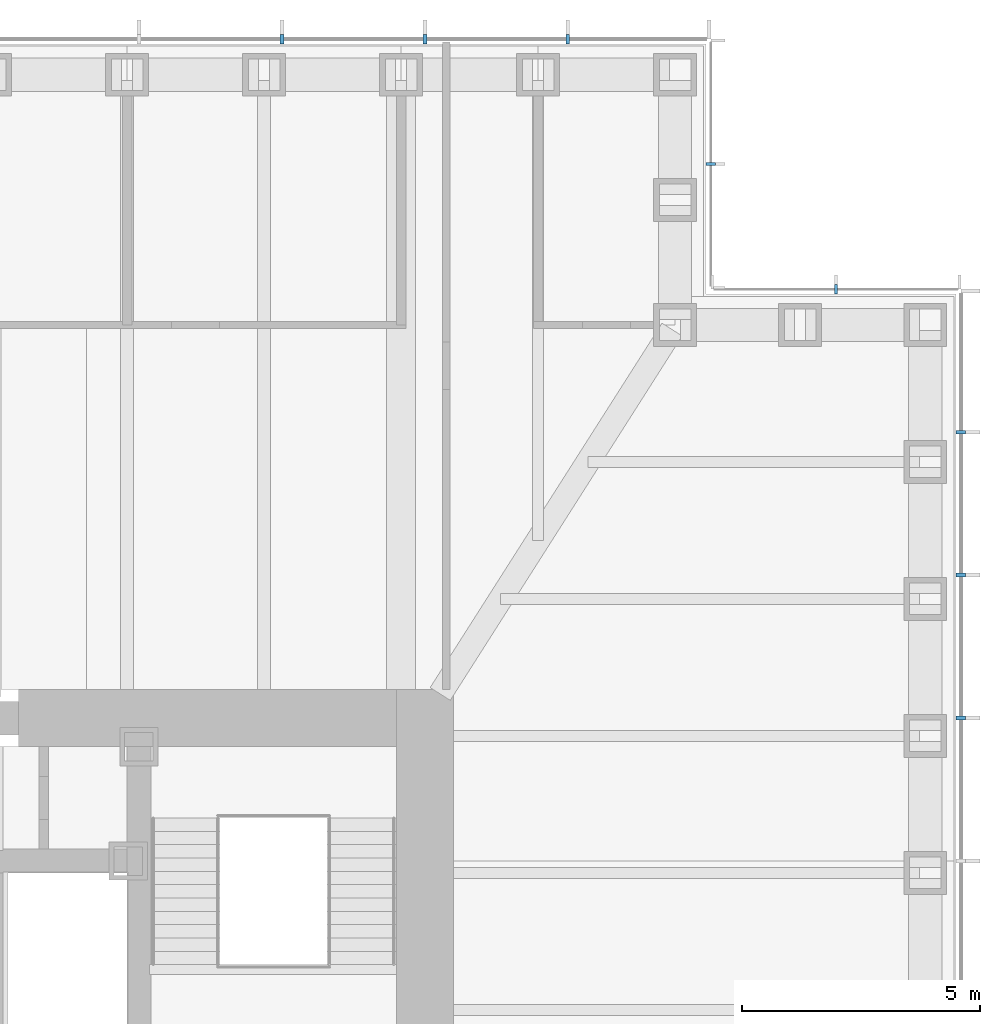
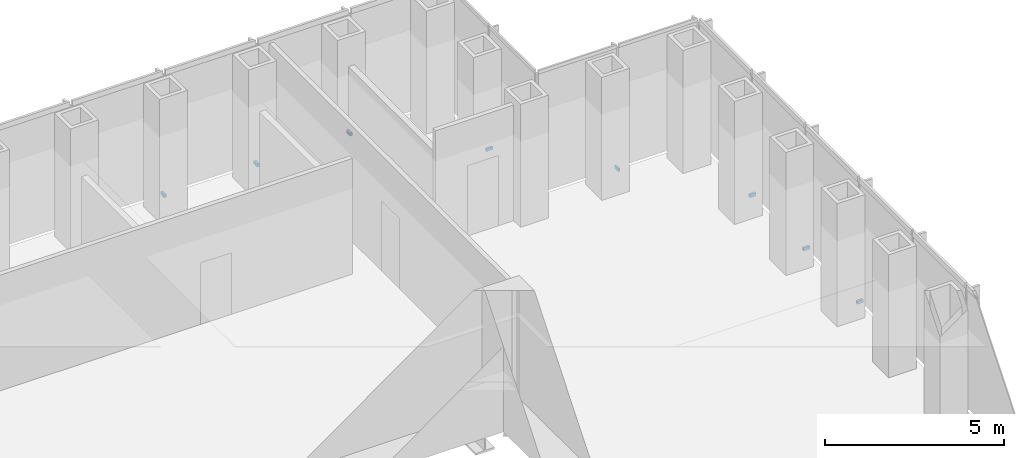
# One storey, part 16 of 17: 8 discrete accessories.
"""IFC4 building model written with IfcOpenShell, lengths in metres."""

from ifc_helpers import new_model, si_unit, direction, frame, origin, origin_2d, place, context, subcontext, project, spatial, rectangle, extrude, element, save


model = new_model("IFC4")

# Units and contexts
model_context = context("Model", 3, precision=1e-05, world=origin(), true_north=direction((0.0, 1.0)))
body_context = subcontext(model_context, "Body", "Model", "MODEL_VIEW")
ifc_project = project(units=[si_unit("LENGTHUNIT", "METRE"), si_unit("AREAUNIT", "SQUARE_METRE"), si_unit("VOLUMEUNIT", "CUBIC_METRE"), si_unit("PLANEANGLEUNIT", "RADIAN"), si_unit("MASSUNIT", "GRAM", prefix="KILO")], contexts=[model_context])

# Site, building, storey
site_placement = place(None, origin())
site = spatial("IfcSite", under=ifc_project, at=site_placement, CompositionType="ELEMENT")
building_placement = place(site_placement, origin())
building = spatial("IfcBuilding", under=site, at=building_placement, Name="Daluyong Arena Tower", CompositionType="ELEMENT")
storey_placement = place(building_placement, frame((0.0, 0.0, 171.10009765625)))
storey = spatial("IfcBuildingStorey", under=building, at=storey_placement, Name="L38", CompositionType="ELEMENT", Elevation=171.10009765625)

# Discrete accessories
for number, where, z_axis, x_axis, name in (
    (1, (79.25, 89.0, -0.10009765625), (0.0, 0.0, 1.0), (0.0, 1.0, 0.0), "curtain wall L38 E anchor bracket 10"),
    (2, (79.25, 92.0, -0.10009765625), (0.0, 0.0, 1.0), (0.0, 1.0, 0.0), "curtain wall L38 E anchor bracket 11"),
    (3, (79.25, 95.0, -0.10009765625), (0.0, 0.0, 1.0), (0.0, 1.0, 0.0), "curtain wall L38 E anchor bracket 12"),
):
    element("IfcDiscreteAccessory", number, at=place(storey_placement, frame(where, z_axis=z_axis, x_axis=x_axis)), inside=storey, Name=name, PredefinedType="BRACKET", context=body_context, shape_type="SweptSolid", body=[
        extrude(rectangle(XDim=0.080078125, YDim=0.199951171875, at=origin_2d()), origin(), (0.0, 0.0, 1.0), 0.10009765625),
    ])
for number, where, z_axis, x_axis, name in (
    (4, (76.625, 98.0, -0.10009765625), (0.0, 0.0, 1.0), (-1.0, 0.0, 0.0), "curtain wall L38 NE-N anchor bracket 2"),
    (5, (74.0, 100.625, -0.10009765625), (0.0, 0.0, 1.0), (0.0, 1.0, 0.0), "curtain wall L38 NE-E anchor bracket 2"),
):
    element("IfcDiscreteAccessory", number, at=place(storey_placement, frame(where, z_axis=z_axis, x_axis=x_axis)), inside=storey, Name=name, PredefinedType="BRACKET", context=body_context, shape_type="SweptSolid", body=[
        extrude(rectangle(XDim=0.06005859375, YDim=0.199951171875, at=origin_2d()), origin(), (0.0, 0.0, 1.0), 0.10009765625),
    ])
for number, where, z_axis, x_axis, name in (
    (6, (71.0, 103.25, -0.10009765625), (0.0, 0.0, 1.0), (-1.0, 0.0, 0.0), "curtain wall L38 N anchor bracket 2"),
    (7, (68.0, 103.25, -0.10009765625), (0.0, 0.0, 1.0), (-1.0, 0.0, 0.0), "curtain wall L38 N anchor bracket 3"),
    (8, (65.0, 103.25, -0.10009765625), (0.0, 0.0, 1.0), (-1.0, 0.0, 0.0), "curtain wall L38 N anchor bracket 4"),
):
    element("IfcDiscreteAccessory", number, at=place(storey_placement, frame(where, z_axis=z_axis, x_axis=x_axis)), inside=storey, Name=name, PredefinedType="BRACKET", context=body_context, shape_type="SweptSolid", body=[
        extrude(rectangle(XDim=0.080078125, YDim=0.199951171875, at=origin_2d()), origin(), (0.0, 0.0, 1.0), 0.10009765625),
    ])

save(model, "model.ifc")
